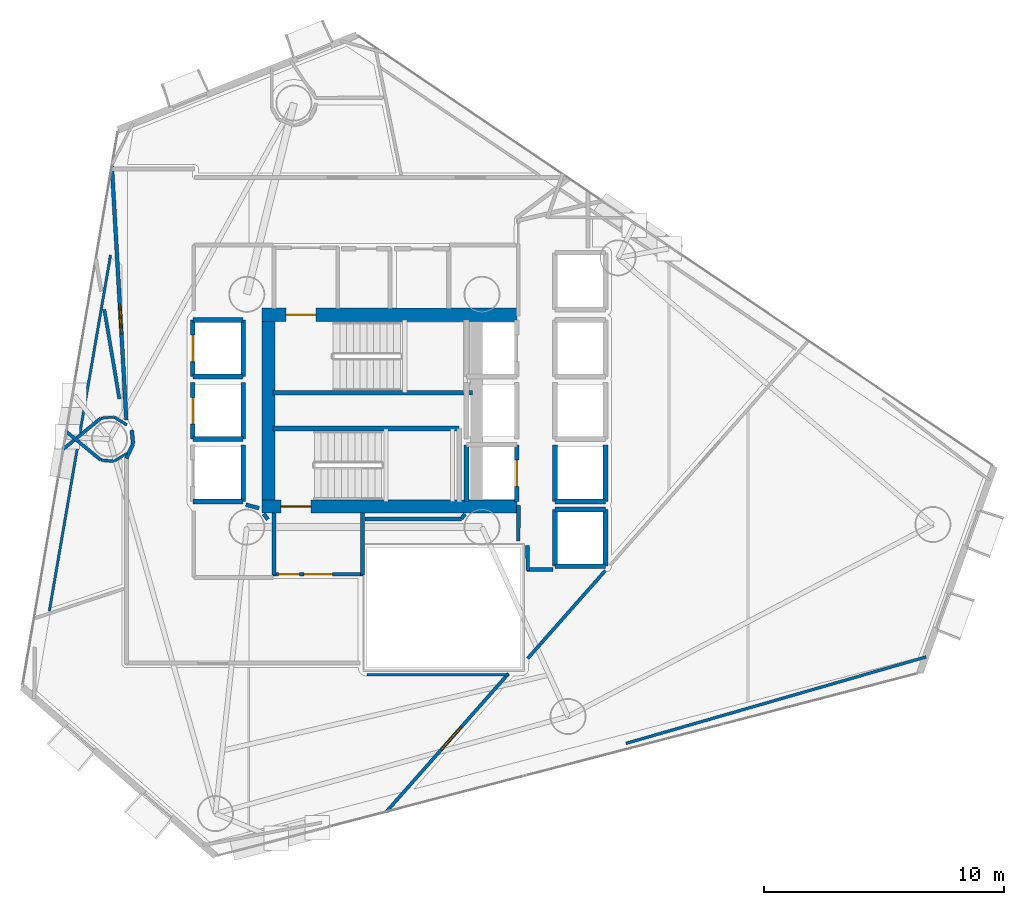
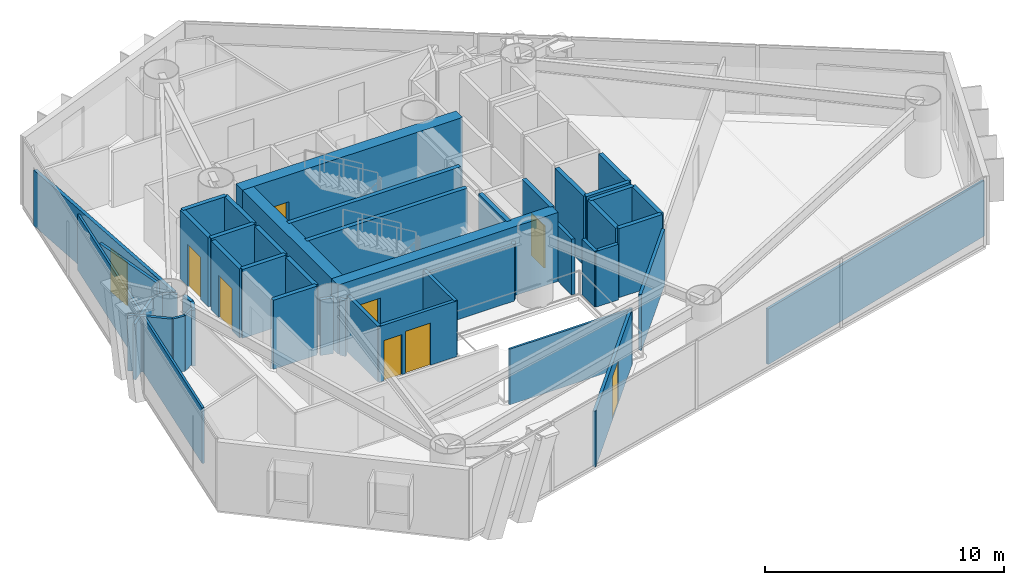
# One storey, part 16 of 21: 48 walls, 9 doors, 9 openings.
"""IFC4 building model written with IfcOpenShell, lengths in metres."""

import ifcopenshell
import ifcopenshell.guid

model = None  # the IFC model being written
_history = None  # IfcOwnerHistory: only IFC2X3 demands one
_inside = {}  # id of a spatial element -> (the spatial element, [elements in it])
_under = {}  # id of a project, library or spatial element -> (it, [spatial elements below it])
_declared = {}  # id of a project -> (the project, [libraries it declares])
_typed = {}  # id of a type object -> (the type object, [elements of that type])
_made_of = {}  # id of a material, layer set ... -> (it, [elements and type objects made of it])


def new_model(schema):
    """Start an empty IFC model of exactly this schema.

    Asked for "IFC4X3", IfcOpenShell would pick the latest addendum, in which some entities
    have other attributes; the version numbers below select the first issue.
    IFC2X3 requires an IfcOwnerHistory on every rooted entity: one is made here for all.
    """
    global model, _history
    if schema == "IFC4X3":
        model = ifcopenshell.file(schema_version=(4, 3, 0, 0))
    else:
        model = ifcopenshell.file(schema=schema)
    _inside.clear()
    _under.clear()
    _declared.clear()
    _typed.clear()
    _made_of.clear()
    _history = None
    if model.schema == "IFC2X3":
        org = make("IfcOrganization", Name="unknown")
        user = make(
            "IfcPersonAndOrganization",
            ThePerson=make("IfcPerson", FamilyName="unknown"),
            TheOrganization=org,
        )
        app = make(
            "IfcApplication",
            ApplicationDeveloper=org,
            Version="unknown",
            ApplicationFullName="unknown",
            ApplicationIdentifier="unknown",
        )
        _history = make(
            "IfcOwnerHistory",
            OwningUser=user,
            OwningApplication=app,
            ChangeAction="ADDED",
            CreationDate=0,
        )
    return model


def make(cls, **values):
    """One entity of the class cls with the attributes given. An attribute that is None is left unset."""
    return model.create_entity(
        cls, **{name: value for name, value in values.items() if value is not None}
    )


def rooted(cls, **values):
    """An entity with a GlobalId (a new one), such as an element, a storey or a relation."""
    return make(cls, GlobalId=ifcopenshell.guid.new(), OwnerHistory=_history, **values)


def si_unit(unit_type, name, prefix=None):
    """IfcSIUnit, for example si_unit("LENGTHUNIT", "METRE", prefix="MILLI")."""
    return make("IfcSIUnit", UnitType=unit_type, Prefix=prefix, Name=name)


def assignment(units):
    """IfcUnitAssignment: the units of a project."""
    return None if units is None else make("IfcUnitAssignment", Units=units)


def point(xyz):
    """IfcCartesianPoint."""
    return None if xyz is None else make("IfcCartesianPoint", Coordinates=xyz)


def direction(xyz):
    """IfcDirection."""
    return None if xyz is None else make("IfcDirection", DirectionRatios=xyz)


def frame(location, z_axis=None, x_axis=None):
    """IfcAxis2Placement3D, a coordinate frame: its origin and axes. An axis left out is left unset."""
    return make(
        "IfcAxis2Placement3D",
        Location=point(location),
        Axis=direction(z_axis),
        RefDirection=direction(x_axis),
    )


def frame_2d(location, x_axis=None):
    """IfcAxis2Placement2D, a coordinate frame in the plane: its origin and x axis."""
    return make(
        "IfcAxis2Placement2D", Location=point(location), RefDirection=direction(x_axis)
    )


def origin():
    """The frame at (0, 0, 0) with its axes left unset."""
    return frame((0.0, 0.0, 0.0))


def place(relative_to, where):
    """IfcLocalPlacement: puts the frame where relative to a parent placement (None: the world)."""
    return make(
        "IfcLocalPlacement", PlacementRelTo=relative_to, RelativePlacement=where
    )


def context(
    kind, dimensions, precision=None, world=None, true_north=None, identifier=None
):
    """IfcGeometricRepresentationContext, for example the 3D "Model" context."""
    return make(
        "IfcGeometricRepresentationContext",
        ContextIdentifier=identifier,
        ContextType=kind,
        CoordinateSpaceDimension=dimensions,
        Precision=precision,
        WorldCoordinateSystem=world,
        TrueNorth=true_north,
    )


def subcontext(parent, identifier, kind, view, scale=None):
    """IfcGeometricRepresentationSubContext, for example "Body" below "Model"."""
    return make(
        "IfcGeometricRepresentationSubContext",
        ContextIdentifier=identifier,
        ContextType=kind,
        ParentContext=parent,
        TargetScale=scale,
        TargetView=view,
    )


def project(units=None, contexts=None):
    """IfcProject with its units and contexts."""
    return rooted(
        "IfcProject",
        Name="project",
        RepresentationContexts=contexts,
        UnitsInContext=assignment(units),
    )


def spatial(cls, under=None, at=None, **own):
    """A site, building, storey or space (cls), placed at a placement, below another one or the project."""
    s = rooted(cls, ObjectPlacement=at, **own)
    if under is not None:
        _under.setdefault(under.id(), (under, []))[1].append(s)
    return s


def profile(cls, at=None, kind="AREA", **sizes):
    """A parametric profile (cls). Its sizes go by their IFC names, for example OverallWidth=200.0."""
    return make(cls, ProfileType=kind, Position=at, **sizes)


def rectangle(**sizes):
    """IfcRectangleProfileDef."""
    return profile("IfcRectangleProfileDef", **sizes)


def extrude(swept, where, along, depth):
    """IfcExtrudedAreaSolid: the profile swept, set in the frame where, extruded along a direction by depth."""
    return make(
        "IfcExtrudedAreaSolid",
        SweptArea=swept,
        Position=where,
        ExtrudedDirection=direction(along),
        Depth=depth,
    )


def shape(context_of_items, identifier, shape_type, items):
    """IfcShapeRepresentation: the items that make up one representation, for example the "Body"."""
    return make(
        "IfcShapeRepresentation",
        ContextOfItems=context_of_items,
        RepresentationIdentifier=identifier,
        RepresentationType=shape_type,
        Items=items,
    )


def material(Name=None, Category=None):
    """IfcMaterial."""
    return make("IfcMaterial", Name=Name, Category=Category)


def layer(
    of_material, thickness, ventilated=None, Name=None, Category=None, Priority=None
):
    """IfcMaterialLayer: one layer of a wall or slab, of a material (None: an air gap)."""
    return make(
        "IfcMaterialLayer",
        Material=of_material,
        LayerThickness=thickness,
        IsVentilated=ventilated,
        Name=Name,
        Category=Category,
        Priority=Priority,
    )


def layer_set(layers, Name=None):
    """IfcMaterialLayerSet."""
    return make("IfcMaterialLayerSet", MaterialLayers=layers, LayerSetName=Name)


def made_of(thing, what):
    """Note that an element or type object is made of a material, layer set ...; save() writes the relation."""
    if what is not None:
        _made_of.setdefault(what.id(), (what, []))[1].append(thing)
    return thing


def type_object(cls, material=None, **own):
    """A type object (cls), such as IfcWallType, which elements share."""
    return made_of(rooted(cls, **own), material)


def element(
    cls,
    number,
    at=None,
    inside=None,
    cuts=None,
    type_object=None,
    material=None,
    context=None,
    identifier="Body",
    shape_type=None,
    held_by="IfcProductDefinitionShape",
    body=None,
    shapes=None,
    **own,
):
    """One element of the class cls, such as IfcWall. Its Tag is "e" and its number.

    at: its placement. inside: the storey or other place that contains it. cuts: it is an
    opening in that element (IfcRelVoidsElement). A single representation is given by context,
    identifier, shape_type and body (its items); several are given by shapes. held_by: the class
    of the entity that holds the representations. save() writes the other relations.
    """
    e = rooted(cls, Tag="e%d" % number, ObjectPlacement=at, **own)
    if body is not None:
        shapes = [shape(context, identifier, shape_type, body)]
    if shapes is not None:
        e.Representation = make(held_by, Representations=shapes)
    if inside is not None:
        _inside.setdefault(inside.id(), (inside, []))[1].append(e)
    if cuts is not None:
        rooted(
            "IfcRelVoidsElement", RelatingBuildingElement=cuts, RelatedOpeningElement=e
        )
    if type_object is not None:
        _typed.setdefault(type_object.id(), (type_object, []))[1].append(e)
    return made_of(e, material)


def fill(opening, filler):
    """IfcRelFillsElement: the door or window that sits in an opening."""
    return rooted(
        "IfcRelFillsElement",
        RelatingOpeningElement=opening,
        RelatedBuildingElement=filler,
    )


def aggregate(whole, parts):
    """IfcRelAggregates: a whole, such as a stair, and the parts it consists of."""
    return rooted("IfcRelAggregates", RelatingObject=whole, RelatedObjects=parts)


def save(model, path):
    """Write the relations noted so far, then the file.

    IfcRelAggregates (storeys below a building ...), IfcRelContainedInSpatialStructure (elements
    in a storey), IfcRelDefinesByType, IfcRelAssociatesMaterial and IfcRelDeclares: one each for
    every whole, place, type object, material and project.
    """
    for whole, parts in _under.values():
        aggregate(whole, parts)
    for where, things in _inside.values():
        rooted(
            "IfcRelContainedInSpatialStructure",
            RelatedElements=things,
            RelatingStructure=where,
        )
    for kind, things in _typed.values():
        rooted("IfcRelDefinesByType", RelatedObjects=things, RelatingType=kind)
    for what, things in _made_of.values():
        rooted("IfcRelAssociatesMaterial", RelatedObjects=things, RelatingMaterial=what)
    for by, libraries in _declared.values():
        rooted("IfcRelDeclares", RelatingContext=by, RelatedDefinitions=libraries)
    model.write(path)


model = new_model("IFC4")

# Units and contexts
model_context = context("Model", 3, precision=1e-05, world=origin(), true_north=direction((0.0, 1.0)))
body_context = subcontext(model_context, "Body", "Model", "MODEL_VIEW")
ifc_project = project(units=[si_unit("LENGTHUNIT", "METRE"), si_unit("AREAUNIT", "SQUARE_METRE"), si_unit("VOLUMEUNIT", "CUBIC_METRE"), si_unit("PLANEANGLEUNIT", "RADIAN"), si_unit("MASSUNIT", "GRAM", prefix="KILO")], contexts=[model_context])

# Site, building, storey
site_placement = place(None, origin())
site = spatial("IfcSite", under=ifc_project, at=site_placement, CompositionType="ELEMENT")
building_placement = place(site_placement, origin())
building = spatial("IfcBuilding", under=site, at=building_placement, Name="Qianvela Tower", CompositionType="ELEMENT")
storey_placement = place(building_placement, frame((0.0, 0.0, 105.199951171875)))
storey = spatial("IfcBuildingStorey", under=building, at=storey_placement, Name="L26", CompositionType="ELEMENT", Elevation=105.199951171875)

# Wall, opening, door
ifc_material_1 = material(Name="Concrete C60", Category="concrete")
ifc_layer_1 = layer(ifc_material_1, 0.550048828125)
ifc_layer_set_1 = layer_set([ifc_layer_1], Name="Concrete C60")
wall_type_1 = type_object("IfcWallType", Name="WT-CORE-550", PredefinedType="SHEAR", material=ifc_layer_set_1)
wall_1_placement = place(storey_placement, frame((29.22998046875, 32.695068359375, 0.0), z_axis=(0.0, 0.0, 1.0), x_axis=(1.0, 0.0, 0.0)))
wall_1 = element("IfcWall", 1, at=wall_1_placement, inside=storey, type_object=wall_type_1, Name="L26 North Core Shear Wall", PredefinedType="SHEAR", context=body_context, shape_type="SweptSolid", body=[
    extrude(rectangle(XDim=10.6201171875, YDim=0.550048828125, at=frame_2d((5.31005859375, 0.0))), origin(), (0.0, 0.0, 1.0), 3.52001953125),
])
opening_1_placement = place(wall_1_placement, frame((0.9951171875, 0.0, 0.0)))
opening_1 = element("IfcOpeningElement", 2, at=opening_1_placement, cuts=wall_1, Name="Opening D-ST1", PredefinedType="OPENING", context=body_context, shape_type="SweptSolid", body=[
    extrude(rectangle(XDim=1.25, YDim=2.14990234375, at=frame_2d((0.625, 1.074951171875))), frame((0.0, 0.284912109375, 0.0), z_axis=(0.0, -1.0, 0.0), x_axis=(1.0, 0.0, 0.0)), (0.0, 0.0, 1.0), 0.570068359375),
])
ifc_material_2 = material(Name="Galvanised Fire Steel Q355B", Category="steel")
door_type_1 = type_object("IfcDoorType", Name="DT-STAIR-FD90", OperationType="NOTDEFINED", PredefinedType="DOOR", material=ifc_material_2)
door_1_placement = place(opening_1_placement, origin())
door_1 = element("IfcDoor", 3, at=door_1_placement, inside=storey, type_object=door_type_1, Name="L26 Stair ST-1 Exit Door", OperationType="SINGLE_SWING_RIGHT", OverallHeight=2.14990234375, OverallWidth=1.25, PredefinedType="DOOR", context=body_context, shape_type="SweptSolid", body=[
    extrude(rectangle(XDim=1.25, YDim=2.14990234375, at=frame_2d((0.625, 1.074951171875))), frame((0.0, 0.02490234375, 0.0), z_axis=(0.0, -1.0, 0.0), x_axis=(1.0, 0.0, 0.0)), (0.0, 0.0, 1.0), 0.050048828125),
])
fill(opening_1, door_1)

wall_2_placement = place(storey_placement, frame((29.22998046875, 24.705078125, 0.0), z_axis=(0.0, 0.0, 1.0), x_axis=(1.0, 0.0, 0.0)))
wall_2 = element("IfcWall", 4, at=wall_2_placement, inside=storey, type_object=wall_type_1, Name="L26 South Core Shear Wall", PredefinedType="SHEAR", context=body_context, shape_type="SweptSolid", body=[
    extrude(rectangle(XDim=10.6201171875, YDim=0.550048828125, at=frame_2d((5.31005859375, 0.0))), origin(), (0.0, 0.0, 1.0), 3.52001953125),
])
opening_2_placement = place(wall_2_placement, frame((0.794921875, 0.0, 0.0)))
opening_2 = element("IfcOpeningElement", 5, at=opening_2_placement, cuts=wall_2, Name="Opening D-ST1", PredefinedType="OPENING", context=body_context, shape_type="SweptSolid", body=[
    extrude(rectangle(XDim=1.25, YDim=2.14990234375, at=frame_2d((0.625, 1.074951171875))), frame((0.0, 0.284912109375, 0.0), z_axis=(0.0, -1.0, 0.0), x_axis=(1.0, 0.0, 0.0)), (0.0, 0.0, 1.0), 0.570068359375),
])
door_2_placement = place(opening_2_placement, origin())
door_2 = element("IfcDoor", 6, at=door_2_placement, inside=storey, type_object=door_type_1, Name="L26 Stair ST-2 Exit Door", OperationType="SINGLE_SWING_RIGHT", OverallHeight=2.14990234375, OverallWidth=1.25, PredefinedType="DOOR", context=body_context, shape_type="SweptSolid", body=[
    extrude(rectangle(XDim=1.25, YDim=2.14990234375, at=frame_2d((0.625, 1.074951171875))), frame((0.0, 0.02490234375, 0.0), z_axis=(0.0, -1.0, 0.0), x_axis=(1.0, 0.0, 0.0)), (0.0, 0.0, 1.0), 0.050048828125),
])
fill(opening_2, door_2)

# Wall
wall_3_placement = place(storey_placement, frame((29.5048828125, 24.97998046875, 0.0), z_axis=(0.0, 0.0, 1.0), x_axis=(0.0, 1.0, 0.0)))
element("IfcWall", 7, at=wall_3_placement, inside=storey, type_object=wall_type_1, Name="L26 West Core Shear Wall", PredefinedType="SHEAR", context=body_context, shape_type="SweptSolid", body=[
    extrude(rectangle(XDim=7.43994140625, YDim=0.550048828125, at=frame_2d((3.719970703125, 0.0))), origin(), (0.0, 0.0, 1.0), 3.52001953125),
])

# Wall, openings, doors
ifc_material_3 = material(Name="Fire-Rated Gypsum and Concrete Block", Category="concrete")
ifc_layer_2 = layer(ifc_material_3, 0.159912109375)
ifc_layer_set_2 = layer_set([ifc_layer_2], Name="Fire-Rated Gypsum and Concrete Block")
wall_type_2 = type_object("IfcWallType", Name="WT-CORR-160", PredefinedType="PARTITIONING", material=ifc_layer_set_2)
wall_4_placement = place(storey_placement, frame((33.449951171875, 21.881103515625, 0.0), z_axis=(0.0, 0.0, 1.0), x_axis=(-1.0, 0.0, 0.0)))
wall_4 = element("IfcWall", 8, at=wall_4_placement, inside=storey, type_object=wall_type_2, Name="L26 Partition 5", PredefinedType="PARTITIONING", context=body_context, shape_type="SweptSolid", body=[
    extrude(rectangle(XDim=3.75, YDim=0.159912109375, at=frame_2d((1.875, 0.0))), origin(), (0.0, 0.0, 1.0), 2.840087890625),
])
opening_3_placement = place(wall_4_placement, frame((1.27490234375, 0.0, 0.0)))
opening_3 = element("IfcOpeningElement", 9, at=opening_3_placement, cuts=wall_4, Name="Opening D-LB1", PredefinedType="OPENING", context=body_context, shape_type="SweptSolid", body=[
    extrude(rectangle(XDim=1.199951171875, YDim=2.14990234375, at=frame_2d((0.60009765625, 1.074951171875))), frame((0.0, 0.08984375, 0.0), z_axis=(0.0, -1.0, 0.0), x_axis=(1.0, 0.0, 0.0)), (0.0, 0.0, 1.0), 0.179931640625),
])
opening_4_placement = place(wall_4_placement, frame((2.659912109375, 0.0, 0.0)))
opening_4 = element("IfcOpeningElement", 10, at=opening_4_placement, cuts=wall_4, Name="Opening D-LB2", PredefinedType="OPENING", context=body_context, shape_type="SweptSolid", body=[
    extrude(rectangle(XDim=0.860107421875, YDim=2.050048828125, at=frame_2d((0.43017578125, 1.02490234375))), frame((0.0, 0.08984375, 0.0), z_axis=(0.0, -1.0, 0.0), x_axis=(1.0, 0.0, 0.0)), (0.0, 0.0, 1.0), 0.179931640625),
])
ifc_material_4 = material(Name="Glazed Fire-Rated Steel Frame", Category="steel")
door_type_2 = type_object("IfcDoorType", Name="DT-LOBBY-FD90", OperationType="NOTDEFINED", PredefinedType="DOOR", material=ifc_material_4)
door_3_placement = place(opening_3_placement, origin())
door_3 = element("IfcDoor", 11, at=door_3_placement, inside=storey, type_object=door_type_2, Name="L26 Door L26 Firefighting Lobby South to L26 Floor Corridor", OperationType="SINGLE_SWING_LEFT", OverallHeight=2.14990234375, OverallWidth=1.199951171875, PredefinedType="DOOR", context=body_context, shape_type="SweptSolid", body=[
    extrude(rectangle(XDim=1.199951171875, YDim=2.14990234375, at=frame_2d((0.60009765625, 1.074951171875))), frame((0.0, 0.02490234375, 0.0), z_axis=(0.0, -1.0, 0.0), x_axis=(1.0, 0.0, 0.0)), (0.0, 0.0, 1.0), 0.050048828125),
])
fill(opening_3, door_3)
ifc_material_5 = material(Name="Insulated Steel Fire Door Q355B", Category="steel")
door_type_3 = type_object("IfcDoorType", Name="DT-LOBBY-FD90-860", OperationType="NOTDEFINED", PredefinedType="DOOR", material=ifc_material_5)
door_4_placement = place(opening_4_placement, origin())
door_4 = element("IfcDoor", 12, at=door_4_placement, inside=storey, type_object=door_type_3, Name="L26 Door L26 Firefighting Lobby South to L26 Floor Corridor", OperationType="SINGLE_SWING_RIGHT", OverallHeight=2.050048828125, OverallWidth=0.860107421875, PredefinedType="DOOR", context=body_context, shape_type="SweptSolid", body=[
    extrude(rectangle(XDim=0.860107421875, YDim=2.050048828125, at=frame_2d((0.43017578125, 1.02490234375))), frame((0.0, 0.02490234375, 0.0), z_axis=(0.0, -1.0, 0.0), x_axis=(1.0, 0.0, 0.0)), (0.0, 0.0, 1.0), 0.050048828125),
])
fill(opening_4, door_4)

# Walls
for number, where, z_axis, x_axis, name in (
    (13, (29.73095703125, 21.85009765625, 0.0), (0.0, 0.0, 1.0), (0.0, 1.0, 0.0), "L26 Partition 6"),
    (14, (33.4189453125, 24.44189453125, 0.0), (0.0, 0.0, 1.0), (0.0, -1.0, 0.0), "L26 Partition 8"),
):
    element("IfcWall", number, at=place(storey_placement, frame(where, z_axis=z_axis, x_axis=x_axis)), inside=storey, type_object=wall_type_2, Name=name, PredefinedType="PARTITIONING", context=body_context, shape_type="SweptSolid", body=[
        extrude(rectangle(XDim=2.591796875, YDim=0.159912109375, at=frame_2d((1.2958984375, 0.0))), origin(), (0.0, 0.0, 1.0), 2.840087890625),
    ])
wall_5_placement = place(storey_placement, frame((41.360107421875, 22.0810546875, 0.0), z_axis=(0.0, 0.0, 1.0), x_axis=(-1.0, 0.0, 0.0)))
element("IfcWall", 15, at=wall_5_placement, inside=storey, type_object=wall_type_2, Name="L26 Partition 15", PredefinedType="PARTITIONING", context=body_context, shape_type="SweptSolid", body=[
    extrude(rectangle(XDim=1.080078125, YDim=0.159912109375, at=frame_2d((0.5400390625, 0.0))), origin(), (0.0, 0.0, 1.0), 2.840087890625),
])
wall_6_placement = place(storey_placement, frame((40.31103515625, 22.05029296875, 0.0), z_axis=(0.0, 0.0, 1.0), x_axis=(-0.011836292006, 0.999929948642, 0.0)))
element("IfcWall", 16, at=wall_6_placement, inside=storey, type_object=wall_type_2, Name="L26 Partition 16", PredefinedType="PARTITIONING", context=body_context, shape_type="SweptSolid", body=[
    extrude(rectangle(XDim=1.03125, YDim=0.159912109375, at=frame_2d((0.515625, 0.0))), origin(), (0.0, 0.0, 1.0), 2.840087890625),
])
wall_7_placement = place(storey_placement, frame((39.910888671875, 23.27978515625, 0.0), z_axis=(0.0, 0.0, 1.0), x_axis=(0.009397771291, 0.999955839972, 0.0)))
element("IfcWall", 17, at=wall_7_placement, inside=storey, type_object=wall_type_2, Name="L26 Partition 17", PredefinedType="PARTITIONING", context=body_context, shape_type="SweptSolid", body=[
    extrude(rectangle(XDim=1.480712890625, YDim=0.159912109375, at=frame_2d((0.740234375, 0.0))), origin(), (0.0, 0.0, 1.0), 2.840087890625),
])
wall_8_placement = place(storey_placement, frame((29.47998046875, 24.1689453125, 0.0), z_axis=(0.0, 0.0, 1.0), x_axis=(-0.607608252226, 0.794236873878, 0.0)))
element("IfcWall", 18, at=wall_8_placement, inside=storey, type_object=wall_type_2, Name="L26 Partition 30", PredefinedType="PARTITIONING", context=body_context, shape_type="SweptSolid", body=[
    extrude(rectangle(XDim=0.286376953125, YDim=0.159912109375, at=frame_2d((0.14306640625, 0.0))), origin(), (0.0, 0.0, 1.0), 2.840087890625),
])
wall_9_placement = place(storey_placement, frame((29.113525390625, 24.63671875, 0.0), z_axis=(0.0, 0.0, 1.0), x_axis=(-0.966199685486, 0.257794817183, 0.0)))
element("IfcWall", 19, at=wall_9_placement, inside=storey, type_object=wall_type_2, Name="L26 Partition 31", PredefinedType="PARTITIONING", context=body_context, shape_type="SweptSolid", body=[
    extrude(rectangle(XDim=0.574951171875, YDim=0.159912109375, at=frame_2d((0.28759765625, 0.0))), origin(), (0.0, 0.0, 1.0), 2.840087890625),
])
wall_10_placement = place(storey_placement, frame((37.694091796875, 24.396484375, 0.0), z_axis=(0.0, 0.0, 1.0), x_axis=(-0.607118658061, -0.794611184815, 0.0)))
element("IfcWall", 20, at=wall_10_placement, inside=storey, type_object=wall_type_2, Name="L26 Partition 38", PredefinedType="PARTITIONING", context=body_context, shape_type="SweptSolid", body=[
    extrude(rectangle(XDim=0.24609375, YDim=0.159912109375, at=frame_2d((0.123046875, 0.0))), origin(), (0.0, 0.0, 1.0), 2.840087890625),
])
wall_11_placement = place(storey_placement, frame((37.544677734375, 24.180908203125, 0.0), z_axis=(0.0, 0.0, 1.0), x_axis=(-1.0, 0.0, 0.0)))
element("IfcWall", 21, at=wall_11_placement, inside=storey, type_object=wall_type_2, Name="L26 Partition 39", PredefinedType="PARTITIONING", context=body_context, shape_type="SweptSolid", body=[
    extrude(rectangle(XDim=4.0146484375, YDim=0.159912109375, at=frame_2d((2.00732421875, 0.0))), origin(), (0.0, 0.0, 1.0), 2.840087890625),
])

# Wall, opening, door
wall_12_placement = place(storey_placement, frame((23.5810546875, 28.306640625, 0.0), z_axis=(0.0, 0.0, 1.0), x_axis=(-0.056927299401, 0.998378326379, 0.0)))
wall_12 = element("IfcWall", 22, at=wall_12_placement, inside=storey, type_object=wall_type_2, Name="L26 Partition 40", PredefinedType="PARTITIONING", context=body_context, shape_type="SweptSolid", body=[
    extrude(rectangle(XDim=10.614501953125, YDim=0.159912109375, at=frame_2d((5.30712890625, 0.0))), origin(), (0.0, 0.0, 1.0), 2.840087890625),
])
opening_5_placement = place(wall_12_placement, frame((3.59423828125, 0.0, 0.0)))
opening_5 = element("IfcOpeningElement", 23, at=opening_5_placement, cuts=wall_12, Name="Opening D-LG1", PredefinedType="OPENING", context=body_context, shape_type="SweptSolid", body=[
    extrude(rectangle(XDim=1.25, YDim=2.199951171875, at=frame_2d((0.625, 1.10009765625))), frame((0.0, 0.08984375, 0.0), z_axis=(0.0, -1.0, 0.0), x_axis=(1.0, 0.0, 0.0)), (0.0, 0.0, 1.0), 0.179931640625),
])
ifc_material_6 = material(Name="Anodised Aluminium Acoustic Glass Door", Category="aluminium")
door_type_4 = type_object("IfcDoorType", Name="DT-LOUNGE-1250", OperationType="NOTDEFINED", PredefinedType="DOOR", material=ifc_material_6)
door_5_placement = place(opening_5_placement, origin())
door_5 = element("IfcDoor", 24, at=door_5_placement, inside=storey, type_object=door_type_4, Name="L26 Door Graduate Seminar Classroom L26-04 to L26 Floor Corridor", OperationType="SINGLE_SWING_RIGHT", OverallHeight=2.199951171875, OverallWidth=1.25, PredefinedType="DOOR", context=body_context, shape_type="SweptSolid", body=[
    extrude(rectangle(XDim=1.25, YDim=2.199951171875, at=frame_2d((0.625, 1.10009765625))), frame((0.0, 0.02490234375, 0.0), z_axis=(0.0, -1.0, 0.0), x_axis=(1.0, 0.0, 0.0)), (0.0, 0.0, 1.0), 0.050048828125),
])
fill(opening_5, door_5)

# Walls
wall_13_placement = place(storey_placement, frame((23.578125, 26.71240234375, 0.0), z_axis=(0.0, 0.0, 1.0), x_axis=(0.421251946418, 0.906943657367, 0.0)))
element("IfcWall", 25, at=wall_13_placement, inside=storey, type_object=wall_type_2, Name="L26 Partition 53", PredefinedType="PARTITIONING", context=body_context, shape_type="SweptSolid", body=[
    extrude(rectangle(XDim=0.6630859375, YDim=0.159912109375, at=frame_2d((0.33154296875, 0.0))), origin(), (0.0, 0.0, 1.0), 2.840087890625),
])
wall_14_placement = place(storey_placement, frame((23.860107421875, 27.329833984375, 0.0), z_axis=(0.0, 0.0, 1.0), x_axis=(-0.098000919071, 0.995186324193, 0.0)))
element("IfcWall", 26, at=wall_14_placement, inside=storey, type_object=wall_type_2, Name="L26 Partition 54", PredefinedType="PARTITIONING", context=body_context, shape_type="SweptSolid", body=[
    extrude(rectangle(XDim=0.56298828125, YDim=0.159912109375, at=frame_2d((0.281494140625, 0.0))), origin(), (0.0, 0.0, 1.0), 2.840087890625),
])
ifc_material_7 = material(Name="Lightweight Gypsum Room Partition")
ifc_layer_3 = layer(ifc_material_7, 0.10498046875)
ifc_layer_set_3 = layer_set([ifc_layer_3], Name="Lightweight Gypsum Room Partition")
wall_type_3 = type_object("IfcWallType", Name="WT-PART-105", PredefinedType="PARTITIONING", material=ifc_layer_set_3)
wall_15_placement = place(storey_placement, frame((33.60009765625, 17.68896484375, 0.0), z_axis=(0.0, 0.0, 1.0), x_axis=(1.0, 0.0, 0.0)))
element("IfcWall", 27, at=wall_15_placement, inside=storey, type_object=wall_type_3, Name="L26 Partition 56", PredefinedType="PARTITIONING", context=body_context, shape_type="SweptSolid", body=[
    extrude(rectangle(XDim=5.925048828125, YDim=0.10498046875, at=frame_2d((2.96240234375, 0.0))), origin(), (0.0, 0.0, 1.0), 2.840087890625),
])
wall_16_placement = place(storey_placement, frame((23.052490234375, 28.439453125, 0.0), z_axis=(0.0, 0.0, 1.0), x_axis=(-0.995191506225, -0.09794828195, 0.0)))
element("IfcWall", 28, at=wall_16_placement, inside=storey, type_object=wall_type_3, Name="L26 Partition 104", PredefinedType="PARTITIONING", context=body_context, shape_type="SweptSolid", body=[
    extrude(rectangle(XDim=0.5283203125, YDim=0.10498046875, at=frame_2d((0.26416015625, 0.0))), origin(), (0.0, 0.0, 1.0), 2.840087890625),
])
wall_17_placement = place(storey_placement, frame((23.07177734375, 26.59716796875, 0.0), z_axis=(0.0, 0.0, 1.0), x_axis=(0.851536753009, 0.524294915363, 0.0)))
element("IfcWall", 29, at=wall_17_placement, inside=storey, type_object=wall_type_3, Name="L26 Partition 110", PredefinedType="PARTITIONING", context=body_context, shape_type="SweptSolid", body=[
    extrude(rectangle(XDim=0.62060546875, YDim=0.10498046875, at=frame_2d((0.310302734375, 0.0))), origin(), (0.0, 0.0, 1.0), 2.840087890625),
])
wall_18_placement = place(storey_placement, frame((20.37109375, 20.35791015625, 0.0), z_axis=(0.0, 0.0, 1.0), x_axis=(0.169525939527, 0.985525725604, 0.0)))
element("IfcWall", 30, at=wall_18_placement, inside=storey, type_object=wall_type_3, Name="L26 Partition 113", PredefinedType="PARTITIONING", context=body_context, shape_type="SweptSolid", body=[
    extrude(rectangle(XDim=15.043701171875, YDim=0.10498046875, at=frame_2d((7.52197265625, 0.0))), origin(), (0.0, 0.0, 1.0), 2.840087890625),
])
ifc_material_8 = material(Name="Insulated Gypsum Stud Partition")
ifc_layer_4 = layer(ifc_material_8, 0.1201171875)
ifc_layer_set_4 = layer_set([ifc_layer_4], Name="Insulated Gypsum Stud Partition")
wall_type_4 = type_object("IfcWallType", Name="WT-PART-120", PredefinedType="PARTITIONING", material=ifc_layer_set_4)
wall_19_placement = place(storey_placement, frame((56.912109375, 18.439453125, 0.0), z_axis=(0.0, 0.0, 1.0), x_axis=(-0.960917353676, -0.276835401285, 0.0)))
element("IfcWall", 31, at=wall_19_placement, inside=storey, type_object=wall_type_4, Name="L26 Partition 67 seg 1", PredefinedType="PARTITIONING", context=body_context, shape_type="SweptSolid", body=[
    extrude(rectangle(XDim=13.020263671875, YDim=0.1201171875, at=frame_2d((6.51025390625, 0.0))), origin(), (0.0, 0.0, 1.0), 2.840087890625),
])
wall_20_placement = place(storey_placement, frame((23.600341796875, 28.109619140625, 0.0), z_axis=(0.0, 0.0, 1.0), x_axis=(-0.851712341449, 0.524009625316, 0.0)))
element("IfcWall", 32, at=wall_20_placement, inside=storey, type_object=wall_type_4, Name="L26 Partition 103", PredefinedType="PARTITIONING", context=body_context, shape_type="SweptSolid", body=[
    extrude(rectangle(XDim=0.62060546875, YDim=0.1201171875, at=frame_2d((0.310302734375, 0.0))), origin(), (0.0, 0.0, 1.0), 2.840087890625),
])
wall_21_placement = place(storey_placement, frame((22.526611328125, 26.644287109375, 0.0), z_axis=(0.0, 0.0, 1.0), x_axis=(0.995191506225, -0.09794828195, 0.0)))
element("IfcWall", 33, at=wall_21_placement, inside=storey, type_object=wall_type_4, Name="L26 Partition 109", PredefinedType="PARTITIONING", context=body_context, shape_type="SweptSolid", body=[
    extrude(rectangle(XDim=0.5283203125, YDim=0.1201171875, at=frame_2d((0.26416015625, 0.0))), origin(), (0.0, 0.0, 1.0), 2.840087890625),
])

# Wall, opening, door
ifc_material_9 = material(Name="Acoustic Double Gypsum Stud Partition")
ifc_layer_5 = layer(ifc_material_9, 0.139892578125)
ifc_layer_set_5 = layer_set([ifc_layer_5], Name="Acoustic Double Gypsum Stud Partition")
wall_type_5 = type_object("IfcWallType", Name="WT-ROOM-140", PredefinedType="PARTITIONING", material=ifc_layer_set_5)
wall_22_placement = place(storey_placement, frame((39.501953125, 17.740478515625, 0.0), z_axis=(0.0, 0.0, 1.0), x_axis=(-0.662230930848, -0.749299802635, 0.0)))
wall_22 = element("IfcWall", 34, at=wall_22_placement, inside=storey, type_object=wall_type_5, Name="L26 Partition 57", PredefinedType="PARTITIONING", context=body_context, shape_type="SweptSolid", body=[
    extrude(rectangle(XDim=7.697021484375, YDim=0.139892578125, at=frame_2d((3.8486328125, 0.0))), origin(), (0.0, 0.0, 1.0), 2.840087890625),
])
opening_6_placement = place(wall_22_placement, frame((2.98046875, 0.0, 0.0)))
opening_6 = element("IfcOpeningElement", 35, at=opening_6_placement, cuts=wall_22, Name="Opening D-LG1", PredefinedType="OPENING", context=body_context, shape_type="SweptSolid", body=[
    extrude(rectangle(XDim=1.25, YDim=2.199951171875, at=frame_2d((0.625, 1.10009765625))), frame((0.0, 0.079833984375, 0.0), z_axis=(0.0, -1.0, 0.0), x_axis=(1.0, 0.0, 0.0)), (0.0, 0.0, 1.0), 0.159912109375),
])
door_6_placement = place(opening_6_placement, origin())
door_6 = element("IfcDoor", 36, at=door_6_placement, inside=storey, type_object=door_type_4, Name="L26 Door Quiet Desk Workspace L26-01B to Collaborative Co-working Office L26-01A", OperationType="SINGLE_SWING_LEFT", OverallHeight=2.199951171875, OverallWidth=1.25, PredefinedType="DOOR", context=body_context, shape_type="SweptSolid", body=[
    extrude(rectangle(XDim=1.25, YDim=2.199951171875, at=frame_2d((0.625, 1.10009765625))), frame((0.0, 0.02490234375, 0.0), z_axis=(0.0, -1.0, 0.0), x_axis=(1.0, 0.0, 0.0)), (0.0, 0.0, 1.0), 0.050048828125),
])
fill(opening_6, door_6)

# Walls
wall_23_placement = place(storey_placement, frame((40.30322265625, 18.372314453125, 0.0), z_axis=(0.0, 0.0, 1.0), x_axis=(0.662221894186, 0.749307789136, 0.0)))
element("IfcWall", 37, at=wall_23_placement, inside=storey, type_object=wall_type_5, Name="L26 Partition 63", PredefinedType="PARTITIONING", context=body_context, shape_type="SweptSolid", body=[
    extrude(rectangle(XDim=4.894775390625, YDim=0.139892578125, at=frame_2d((2.447265625, 0.0))), origin(), (0.0, 0.0, 1.0), 2.840087890625),
])
wall_24_placement = place(storey_placement, frame((22.510009765625, 28.380615234375, 0.0), z_axis=(0.0, 0.0, 1.0), x_axis=(-0.772998253564, -0.63440814937, 0.0)))
element("IfcWall", 38, at=wall_24_placement, inside=storey, type_object=wall_type_5, Name="L26 Partition 105", PredefinedType="PARTITIONING", context=body_context, shape_type="SweptSolid", body=[
    extrude(rectangle(XDim=2.04345703125, YDim=0.139892578125, at=frame_2d((1.021728515625, 0.0))), origin(), (0.0, 0.0, 1.0), 2.840087890625),
])
wall_25_placement = place(storey_placement, frame((21.056884765625, 27.843994140625, 0.0), z_axis=(0.0, 0.0, 1.0), x_axis=(0.772990083311, -0.634418104331, 0.0)))
element("IfcWall", 39, at=wall_25_placement, inside=storey, type_object=wall_type_5, Name="L26 Partition 108", PredefinedType="PARTITIONING", context=body_context, shape_type="SweptSolid", body=[
    extrude(rectangle(XDim=1.8798828125, YDim=0.139892578125, at=frame_2d((0.93994140625, 0.0))), origin(), (0.0, 0.0, 1.0), 2.840087890625),
])
wall_26_placement = place(storey_placement, frame((22.66162109375, 32.9208984375, 0.0), z_axis=(0.0, 0.0, 1.0), x_axis=(0.166124935367, -0.98610471343, 0.0)))
element("IfcWall", 40, at=wall_26_placement, inside=storey, type_object=wall_type_5, Name="L26 Partition 114 seg 1", PredefinedType="PARTITIONING", context=body_context, shape_type="SweptSolid", body=[
    extrude(rectangle(XDim=3.7841796875, YDim=0.139892578125, at=frame_2d((1.89208984375, 0.0))), origin(), (0.0, 0.0, 1.0), 2.840087890625),
])
ifc_material_10 = material(Name="Concrete C50", Category="concrete")
ifc_layer_6 = layer(ifc_material_10, 0.199951171875)
ifc_layer_set_6 = layer_set([ifc_layer_6], Name="Concrete C50")
wall_type_6 = type_object("IfcWallType", Name="WT-SHAFT-200", PredefinedType="SOLIDWALL", material=ifc_layer_set_6)
wall_27_placement = place(storey_placement, frame((29.699951171875, 29.449951171875, 0.0), z_axis=(0.0, 0.0, 1.0), x_axis=(1.0, 0.0, 0.0)))
element("IfcWall", 41, at=wall_27_placement, inside=storey, type_object=wall_type_6, Name="L26 Stair ST-1 South Wall", PredefinedType="SOLIDWALL", context=body_context, shape_type="SweptSolid", body=[
    extrude(rectangle(XDim=8.300048828125, YDim=0.199951171875, at=frame_2d((4.14990234375, 0.0))), origin(), (0.0, 0.0, 1.0), 3.52001953125),
])
wall_28_placement = place(storey_placement, frame((29.699951171875, 27.9599609375, 0.0), z_axis=(0.0, 0.0, 1.0), x_axis=(1.0, 0.0, 0.0)))
element("IfcWall", 42, at=wall_28_placement, inside=storey, type_object=wall_type_6, Name="L26 Stair ST-2 North Wall", PredefinedType="SOLIDWALL", context=body_context, shape_type="SweptSolid", body=[
    extrude(rectangle(XDim=7.75, YDim=0.199951171875, at=frame_2d((3.875, 0.0))), origin(), (0.0, 0.0, 1.0), 3.52001953125),
])

# Wall, opening, door
wall_29_placement = place(storey_placement, frame((39.85009765625, 24.919921875, 0.0), z_axis=(0.0, 0.0, 1.0), x_axis=(0.0, 1.0, 0.0)))
wall_29 = element("IfcWall", 43, at=wall_29_placement, inside=storey, type_object=wall_type_6, Name="L26 Lift FL-2 E Shaft Wall", PredefinedType="SOLIDWALL", context=body_context, shape_type="SweptSolid", body=[
    extrude(rectangle(XDim=2.360107421875, YDim=0.199951171875, at=frame_2d((1.18017578125, 0.0))), origin(), (0.0, 0.0, 1.0), 3.52001953125),
])
opening_7_placement = place(wall_29_placement, frame((0.6298828125, 0.0, 0.0)))
opening_7 = element("IfcOpeningElement", 44, at=opening_7_placement, cuts=wall_29, Name="Opening LD-01", PredefinedType="OPENING", context=body_context, shape_type="SweptSolid", body=[
    extrude(rectangle(XDim=1.10009765625, YDim=2.14990234375, at=frame_2d((0.550048828125, 1.074951171875))), frame((0.0, 0.10986328125, 0.0), z_axis=(0.0, -1.0, 0.0), x_axis=(1.0, 0.0, 0.0)), (0.0, 0.0, 1.0), 0.219970703125),
])
ifc_material_11 = material(Name="Brushed Stainless Steel Lift Landing Door", Category="steel")
door_type_5 = type_object("IfcDoorType", Name="DT-LIFT-SLIDE-1100", OperationType="SLIDING_TO_LEFT", PredefinedType="DOOR", material=ifc_material_11)
door_7_placement = place(opening_7_placement, origin())
door_7 = element("IfcDoor", 45, at=door_7_placement, inside=storey, type_object=door_type_5, Name="L26 Lift FL-2 Sliding Landing Door", OperationType="SLIDING_TO_LEFT", OverallHeight=2.14990234375, OverallWidth=1.10009765625, PredefinedType="DOOR", context=body_context, shape_type="SweptSolid", body=[
    extrude(rectangle(XDim=1.10009765625, YDim=2.14990234375, at=frame_2d((0.550048828125, 1.074951171875))), frame((0.0, 0.02490234375, 0.0), z_axis=(0.0, -1.0, 0.0), x_axis=(1.0, 0.0, 0.0)), (0.0, 0.0, 1.0), 0.050048828125),
])
fill(opening_7, door_7)

# Walls
wall_30_placement = place(storey_placement, frame((37.75, 24.919921875, 0.0), z_axis=(0.0, 0.0, 1.0), x_axis=(0.0, 1.0, 0.0)))
element("IfcWall", 46, at=wall_30_placement, inside=storey, type_object=wall_type_6, Name="L26 Lift FL-2 W Shaft Wall", PredefinedType="SOLIDWALL", context=body_context, shape_type="SweptSolid", body=[
    extrude(rectangle(XDim=2.360107421875, YDim=0.199951171875, at=frame_2d((1.18017578125, 0.0))), origin(), (0.0, 0.0, 1.0), 3.52001953125),
])
wall_31_placement = place(storey_placement, frame((28.449951171875, 30.1201171875, 0.0), z_axis=(0.0, 0.0, 1.0), x_axis=(0.0, 1.0, 0.0)))
element("IfcWall", 47, at=wall_31_placement, inside=storey, type_object=wall_type_6, Name="L26 Lift PL-L1 E Shaft Wall", PredefinedType="SOLIDWALL", context=body_context, shape_type="SweptSolid", body=[
    extrude(rectangle(XDim=2.35986328125, YDim=0.199951171875, at=frame_2d((1.179931640625, 0.0))), origin(), (0.0, 0.0, 1.0), 3.52001953125),
])

# Wall, opening, door
wall_32_placement = place(storey_placement, frame((26.35009765625, 30.1201171875, 0.0), z_axis=(0.0, 0.0, 1.0), x_axis=(0.0, 1.0, 0.0)))
wall_32 = element("IfcWall", 48, at=wall_32_placement, inside=storey, type_object=wall_type_6, Name="L26 Lift PL-L1 W Shaft Wall", PredefinedType="SOLIDWALL", context=body_context, shape_type="SweptSolid", body=[
    extrude(rectangle(XDim=2.35986328125, YDim=0.199951171875, at=frame_2d((1.179931640625, 0.0))), origin(), (0.0, 0.0, 1.0), 3.52001953125),
])
opening_8_placement = place(wall_32_placement, frame((0.6298828125, 0.0, 0.0)))
opening_8 = element("IfcOpeningElement", 49, at=opening_8_placement, cuts=wall_32, Name="Opening LD-01", PredefinedType="OPENING", context=body_context, shape_type="SweptSolid", body=[
    extrude(rectangle(XDim=1.10009765625, YDim=2.14990234375, at=frame_2d((0.550048828125, 1.074951171875))), frame((0.0, 0.10986328125, 0.0), z_axis=(0.0, -1.0, 0.0), x_axis=(1.0, 0.0, 0.0)), (0.0, 0.0, 1.0), 0.219970703125),
])
door_8_placement = place(opening_8_placement, origin())
door_8 = element("IfcDoor", 50, at=door_8_placement, inside=storey, type_object=door_type_5, Name="L26 Lift PL-L1 Sliding Landing Door", OperationType="SLIDING_TO_LEFT", OverallHeight=2.14990234375, OverallWidth=1.10009765625, PredefinedType="DOOR", context=body_context, shape_type="SweptSolid", body=[
    extrude(rectangle(XDim=1.10009765625, YDim=2.14990234375, at=frame_2d((0.550048828125, 1.074951171875))), frame((0.0, 0.02490234375, 0.0), z_axis=(0.0, -1.0, 0.0), x_axis=(1.0, 0.0, 0.0)), (0.0, 0.0, 1.0), 0.050048828125),
])
fill(opening_8, door_8)

# Walls
for number, where, z_axis, x_axis, name in (
    (51, (26.35009765625, 32.47998046875, 0.0), (0.0, 0.0, 1.0), (1.0, 0.0, 0.0), "L26 Lift PL-L1 N Shaft Wall"),
    (52, (26.35009765625, 30.1201171875, 0.0), (0.0, 0.0, 1.0), (1.0, 0.0, 0.0), "L26 Lift PL-L1 S Shaft Wall"),
):
    element("IfcWall", number, at=place(storey_placement, frame(where, z_axis=z_axis, x_axis=x_axis)), inside=storey, type_object=wall_type_6, Name=name, PredefinedType="SOLIDWALL", context=body_context, shape_type="SweptSolid", body=[
        extrude(rectangle(XDim=2.099853515625, YDim=0.199951171875, at=frame_2d((1.0498046875, 0.0))), origin(), (0.0, 0.0, 1.0), 3.52001953125),
    ])
wall_33_placement = place(storey_placement, frame((28.449951171875, 27.52001953125, 0.0), z_axis=(0.0, 0.0, 1.0), x_axis=(0.0, 1.0, 0.0)))
element("IfcWall", 53, at=wall_33_placement, inside=storey, type_object=wall_type_6, Name="L26 Lift PL-L2 E Shaft Wall", PredefinedType="SOLIDWALL", context=body_context, shape_type="SweptSolid", body=[
    extrude(rectangle(XDim=2.35986328125, YDim=0.199951171875, at=frame_2d((1.179931640625, 0.0))), origin(), (0.0, 0.0, 1.0), 3.52001953125),
])

# Wall, opening, door
wall_34_placement = place(storey_placement, frame((26.35009765625, 27.52001953125, 0.0), z_axis=(0.0, 0.0, 1.0), x_axis=(0.0, 1.0, 0.0)))
wall_34 = element("IfcWall", 54, at=wall_34_placement, inside=storey, type_object=wall_type_6, Name="L26 Lift PL-L2 W Shaft Wall", PredefinedType="SOLIDWALL", context=body_context, shape_type="SweptSolid", body=[
    extrude(rectangle(XDim=2.35986328125, YDim=0.199951171875, at=frame_2d((1.179931640625, 0.0))), origin(), (0.0, 0.0, 1.0), 3.52001953125),
])
opening_9_placement = place(wall_34_placement, frame((0.6298828125, 0.0, 0.0)))
opening_9 = element("IfcOpeningElement", 55, at=opening_9_placement, cuts=wall_34, Name="Opening LD-01", PredefinedType="OPENING", context=body_context, shape_type="SweptSolid", body=[
    extrude(rectangle(XDim=1.10009765625, YDim=2.14990234375, at=frame_2d((0.550048828125, 1.074951171875))), frame((0.0, 0.10986328125, 0.0), z_axis=(0.0, -1.0, 0.0), x_axis=(1.0, 0.0, 0.0)), (0.0, 0.0, 1.0), 0.219970703125),
])
door_9_placement = place(opening_9_placement, origin())
door_9 = element("IfcDoor", 56, at=door_9_placement, inside=storey, type_object=door_type_5, Name="L26 Lift PL-L2 Sliding Landing Door", OperationType="SLIDING_TO_LEFT", OverallHeight=2.14990234375, OverallWidth=1.10009765625, PredefinedType="DOOR", context=body_context, shape_type="SweptSolid", body=[
    extrude(rectangle(XDim=1.10009765625, YDim=2.14990234375, at=frame_2d((0.550048828125, 1.074951171875))), frame((0.0, 0.02490234375, 0.0), z_axis=(0.0, -1.0, 0.0), x_axis=(1.0, 0.0, 0.0)), (0.0, 0.0, 1.0), 0.050048828125),
])
fill(opening_9, door_9)

# Walls
wall_35_placement = place(storey_placement, frame((26.35009765625, 27.52001953125, 0.0), z_axis=(0.0, 0.0, 1.0), x_axis=(1.0, 0.0, 0.0)))
element("IfcWall", 57, at=wall_35_placement, inside=storey, type_object=wall_type_6, Name="L26 Lift PL-L2 S Shaft Wall", PredefinedType="SOLIDWALL", context=body_context, shape_type="SweptSolid", body=[
    extrude(rectangle(XDim=2.099853515625, YDim=0.199951171875, at=frame_2d((1.0498046875, 0.0))), origin(), (0.0, 0.0, 1.0), 3.52001953125),
])
wall_36_placement = place(storey_placement, frame((28.449951171875, 24.919921875, 0.0), z_axis=(0.0, 0.0, 1.0), x_axis=(0.0, 1.0, 0.0)))
element("IfcWall", 58, at=wall_36_placement, inside=storey, type_object=wall_type_6, Name="L26 Lift PL-L3 E Shaft Wall", PredefinedType="SOLIDWALL", context=body_context, shape_type="SweptSolid", body=[
    extrude(rectangle(XDim=2.360107421875, YDim=0.199951171875, at=frame_2d((1.18017578125, 0.0))), origin(), (0.0, 0.0, 1.0), 3.52001953125),
])
wall_37_placement = place(storey_placement, frame((26.35009765625, 24.919921875, 0.0), z_axis=(0.0, 0.0, 1.0), x_axis=(1.0, 0.0, 0.0)))
element("IfcWall", 59, at=wall_37_placement, inside=storey, type_object=wall_type_6, Name="L26 Lift PL-L3 S Shaft Wall", PredefinedType="SOLIDWALL", context=body_context, shape_type="SweptSolid", body=[
    extrude(rectangle(XDim=2.099853515625, YDim=0.199951171875, at=frame_2d((1.0498046875, 0.0))), origin(), (0.0, 0.0, 1.0), 3.52001953125),
])
for number, where, z_axis, x_axis, name in (
    (60, (43.550048828125, 24.919921875, 0.0), (0.0, 0.0, 1.0), (0.0, 1.0, 0.0), "L26 Lift PL-M3 E Shaft Wall"),
    (61, (41.449951171875, 24.919921875, 0.0), (0.0, 0.0, 1.0), (0.0, 1.0, 0.0), "L26 Lift PL-M3 W Shaft Wall"),
):
    element("IfcWall", number, at=place(storey_placement, frame(where, z_axis=z_axis, x_axis=x_axis)), inside=storey, type_object=wall_type_6, Name=name, PredefinedType="SOLIDWALL", context=body_context, shape_type="SweptSolid", body=[
        extrude(rectangle(XDim=2.360107421875, YDim=0.199951171875, at=frame_2d((1.18017578125, 0.0))), origin(), (0.0, 0.0, 1.0), 3.52001953125),
    ])
wall_38_placement = place(storey_placement, frame((41.449951171875, 24.919921875, 0.0), z_axis=(0.0, 0.0, 1.0), x_axis=(1.0, 0.0, 0.0)))
element("IfcWall", 62, at=wall_38_placement, inside=storey, type_object=wall_type_6, Name="L26 Lift PL-M3 S Shaft Wall", PredefinedType="SOLIDWALL", context=body_context, shape_type="SweptSolid", body=[
    extrude(rectangle(XDim=2.10009765625, YDim=0.199951171875, at=frame_2d((1.050048828125, 0.0))), origin(), (0.0, 0.0, 1.0), 3.52001953125),
])
for number, where, z_axis, x_axis, name in (
    (63, (43.550048828125, 22.219970703125, 0.0), (0.0, 0.0, 1.0), (0.0, 1.0, 0.0), "L26 Lift PL-H2 E Shaft Wall"),
    (64, (41.449951171875, 22.219970703125, 0.0), (0.0, 0.0, 1.0), (0.0, 1.0, 0.0), "L26 Lift PL-H2 W Shaft Wall"),
):
    element("IfcWall", number, at=place(storey_placement, frame(where, z_axis=z_axis, x_axis=x_axis)), inside=storey, type_object=wall_type_6, Name=name, PredefinedType="SOLIDWALL", context=body_context, shape_type="SweptSolid", body=[
        extrude(rectangle(XDim=2.360107421875, YDim=0.199951171875, at=frame_2d((1.18017578125, 0.0))), origin(), (0.0, 0.0, 1.0), 3.52001953125),
    ])
for number, where, z_axis, x_axis, name in (
    (65, (41.449951171875, 24.580078125, 0.0), (0.0, 0.0, 1.0), (1.0, 0.0, 0.0), "L26 Lift PL-H2 N Shaft Wall"),
    (66, (41.449951171875, 22.219970703125, 0.0), (0.0, 0.0, 1.0), (1.0, 0.0, 0.0), "L26 Lift PL-H2 S Shaft Wall"),
):
    element("IfcWall", number, at=place(storey_placement, frame(where, z_axis=z_axis, x_axis=x_axis)), inside=storey, type_object=wall_type_6, Name=name, PredefinedType="SOLIDWALL", context=body_context, shape_type="SweptSolid", body=[
        extrude(rectangle(XDim=2.10009765625, YDim=0.199951171875, at=frame_2d((1.050048828125, 0.0))), origin(), (0.0, 0.0, 1.0), 3.52001953125),
    ])

save(model, "model.ifc")
